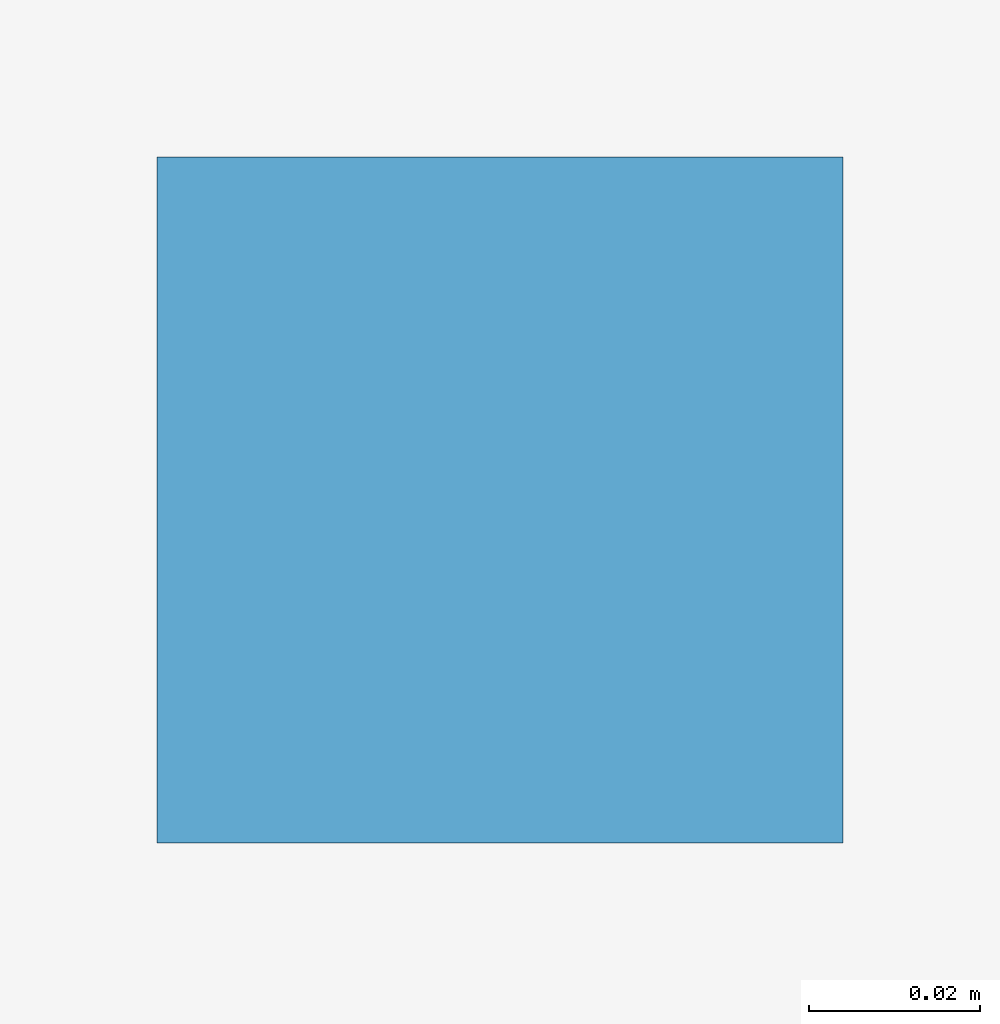
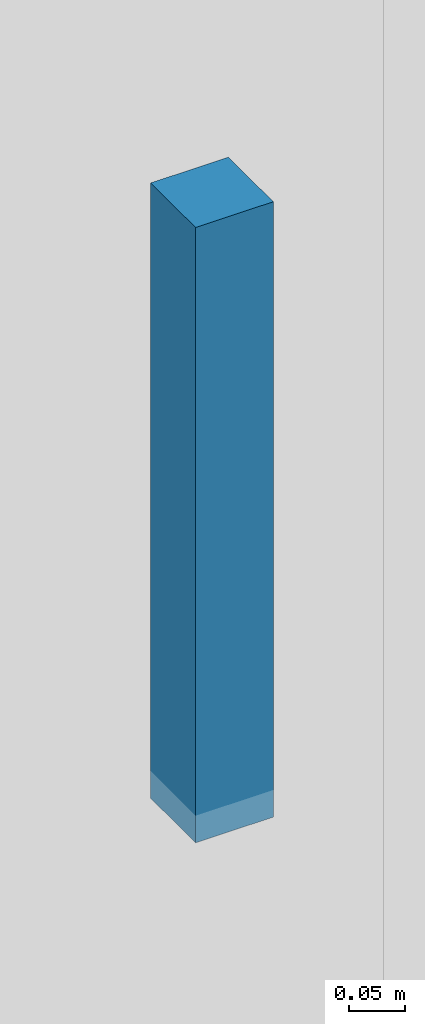
# One storey, part 11 of 15: 1 discrete accessory.
"""IFC4 building model written with IfcOpenShell, lengths in metres."""

from ifc_helpers import new_model, si_unit, direction, frame, origin, origin_2d, place, context, subcontext, project, spatial, rectangle, extrude, source, transform, mapped, material, type_object, element, save


model = new_model("IFC4")

# Units and contexts
model_context = context("Model", 3, precision=1e-05, world=origin(), true_north=direction((0.0, 1.0)))
body_context = subcontext(model_context, "Body", "Model", "MODEL_VIEW")
ifc_project = project(units=[si_unit("LENGTHUNIT", "METRE"), si_unit("AREAUNIT", "SQUARE_METRE"), si_unit("VOLUMEUNIT", "CUBIC_METRE"), si_unit("PLANEANGLEUNIT", "RADIAN"), si_unit("MASSUNIT", "GRAM", prefix="KILO")], contexts=[model_context])

# Site, building, storey
site_placement = place(None, origin())
site = spatial("IfcSite", under=ifc_project, at=site_placement, CompositionType="ELEMENT")
building_placement = place(site_placement, origin())
building = spatial("IfcBuilding", under=site, at=building_placement, Name="Giltprow Tower", CompositionType="ELEMENT")
storey_placement = place(building_placement, frame((0.0, 0.0, 180.699951171875)))
storey = spatial("IfcBuildingStorey", under=building, at=storey_placement, Name="L45", CompositionType="ELEMENT", Elevation=180.699951171875)

# Discrete accessory
ifc_material = material(Name="Structural steel Q355B", Category="steel")
discrete_accessory_type = type_object("IfcDiscreteAccessoryType", Name="ACC-CLG-HANGER", PredefinedType="BRACKET", material=ifc_material)
shared_shape = source(origin(), body_context, "Body", "SweptSolid", [
    extrude(rectangle(XDim=0.080078125, YDim=0.080078125, at=origin_2d()), origin(), (0.0, 0.0, 1.0), 0.669921875),
])
discrete_accessory_placement = place(storey_placement, frame((35.0, 35.35009765625, 2.6201171875), z_axis=(0.0, 0.0, 1.0), x_axis=(1.0, 0.0, 0.0)))
element("IfcDiscreteAccessory", 1, at=discrete_accessory_placement, inside=storey, type_object=discrete_accessory_type, Name="L45 Hotel Corridor Gypsum Ceiling Suspension Hanger", PredefinedType="BRACKET", context=body_context, shape_type="MappedRepresentation", body=[
    mapped(shared_shape, transform((0.0, 0.0, 0.0), x_axis=(1.0, 0.0, 0.0), y_axis=(0.0, 1.0, 0.0), z_axis=(0.0, 0.0, 1.0), scale=1.0)),
])

save(model, "model.ifc")
